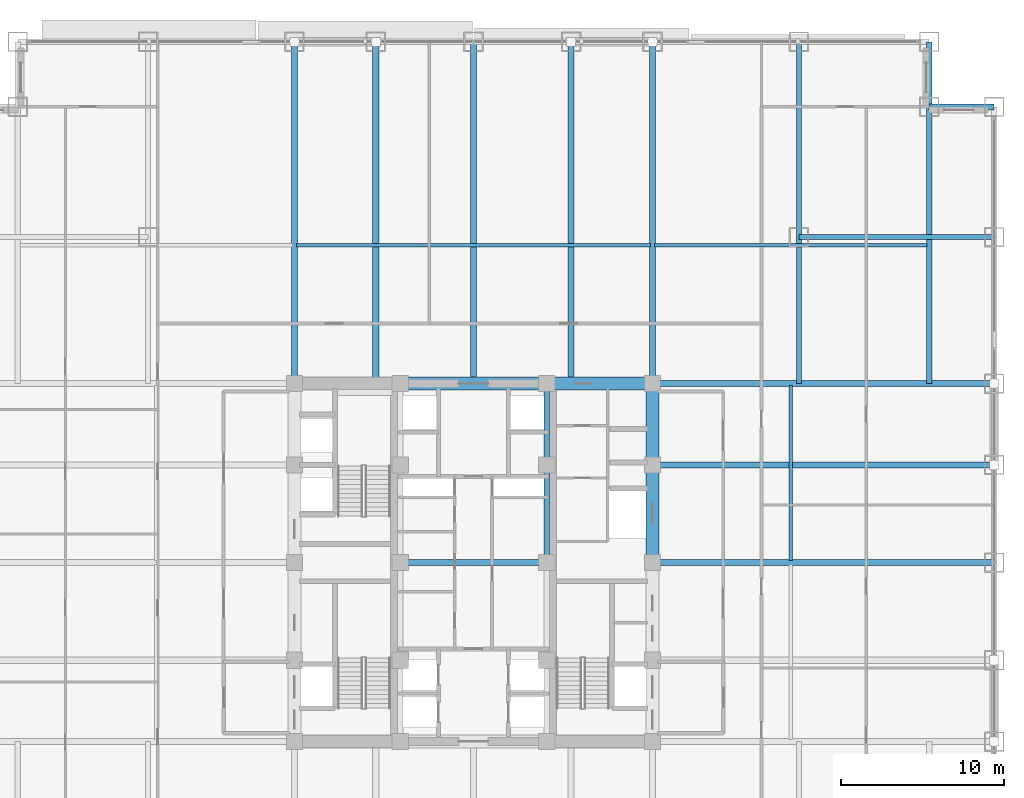
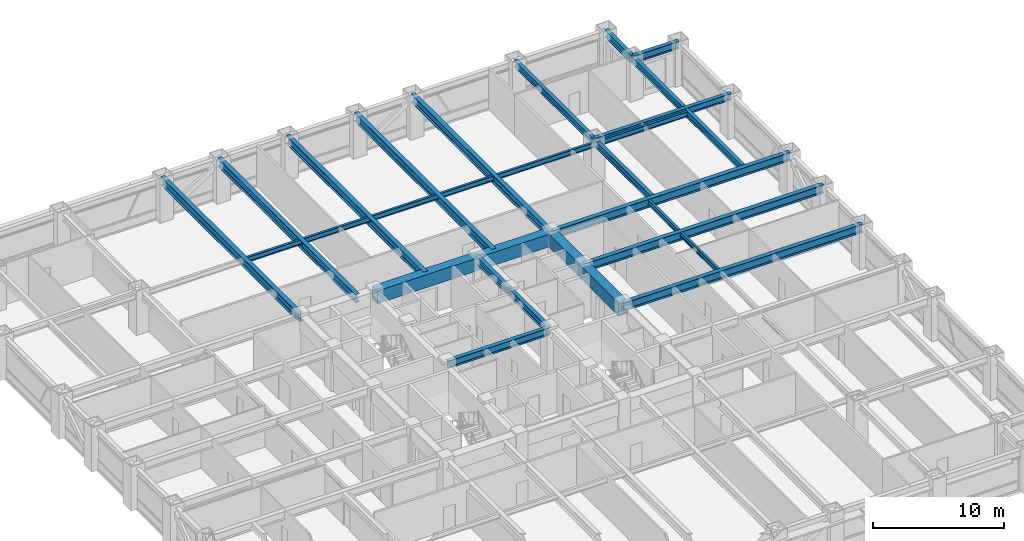
# One storey, part 11 of 32: 23 beams.
"""IFC4 building model written with IfcOpenShell, lengths in metres."""

from ifc_helpers import new_model, si_unit, direction, frame, origin, origin_2d, place, context, subcontext, project, spatial, rectangle, i_section, extrude, source, transform, mapped, material, material_profile, profile_set, type_object, element, save


model = new_model("IFC4")

# Units and contexts
model_context = context("Model", 3, precision=1e-05, world=origin(), true_north=direction((0.0, 1.0)))
body_context = subcontext(model_context, "Body", "Model", "MODEL_VIEW")
ifc_project = project(units=[si_unit("LENGTHUNIT", "METRE"), si_unit("AREAUNIT", "SQUARE_METRE"), si_unit("VOLUMEUNIT", "CUBIC_METRE"), si_unit("PLANEANGLEUNIT", "RADIAN"), si_unit("MASSUNIT", "GRAM", prefix="KILO")], contexts=[model_context])

# Site, building, storey
site_placement = place(None, origin())
site = spatial("IfcSite", under=ifc_project, at=site_placement, CompositionType="ELEMENT")
building_placement = place(site_placement, origin())
building = spatial("IfcBuilding", under=site, at=building_placement, Name="Khorayat Bourse Tower", CompositionType="ELEMENT")
storey_placement = place(building_placement, frame((0.0, 0.0, 136.5)))
storey = spatial("IfcBuildingStorey", under=building, at=storey_placement, Name="L31", CompositionType="ELEMENT", Elevation=136.5)

# Beams
ifc_material_1 = material(Name="Concrete C72/90", Category="concrete")
ifc_material_profile_1 = material_profile(ifc_material_1, rectangle(XDim=0.800048828125, YDim=1.199951171875, at=origin_2d()), Name="RC 800x1200")
ifc_profile_set_1 = profile_set([ifc_material_profile_1], Name="Concrete C72/90")
beam_type_1 = type_object("IfcBeamType", Name="BM-COUP-1200", PredefinedType="BEAM", material=ifc_profile_set_1)
shared_shape_1 = source(origin(), body_context, "Body", "SweptSolid", [
    extrude(rectangle(XDim=0.800048828125, YDim=1.199951171875, at=origin_2d()), origin(), (0.0, 0.0, 1.0), 5.0),
])
beam_1_placement = place(storey_placement, frame((11.0, 6.0, 3.239990234375), z_axis=(0.0, 1.0, 0.0), x_axis=(-1.0, 0.0, 0.0)))
element("IfcBeam", 1, at=beam_1_placement, inside=storey, type_object=beam_type_1, Name="L31 BM-COUP-1200 BM-L31-CRX-16", PredefinedType="BEAM", context=body_context, shape_type="MappedRepresentation", body=[
    mapped(shared_shape_1, transform((0.0, 0.0, 0.0), scale=1.0)),
])
shared_shape_2 = source(origin(), body_context, "Body", "SweptSolid", [
    extrude(rectangle(XDim=0.800048828125, YDim=1.199951171875, at=origin_2d()), origin(), (0.0, 0.0, 1.0), 6.0),
])
beam_2_placement = place(storey_placement, frame((11.0, 0.0, 3.239990234375), z_axis=(0.0, 1.0, 0.0), x_axis=(-1.0, 0.0, 0.0)))
element("IfcBeam", 2, at=beam_2_placement, inside=storey, type_object=beam_type_1, Name="L31 BM-COUP-1200 BM-L31-CRX-15", PredefinedType="BEAM", context=body_context, shape_type="MappedRepresentation", body=[
    mapped(shared_shape_2, transform((0.0, 0.0, 0.0), scale=1.0)),
])
ifc_material_2 = material(Name="Steel ASTM A992 Grade 50", Category="steel")
ifc_material_profile_2 = material_profile(ifc_material_2, i_section(OverallWidth=0.35498046875, OverallDepth=0.695068359375, WebThickness=0.015380859375, FlangeThickness=0.02490234375, FilletRadius=0.01806640625, at=origin_2d()), Name="W690X217")
ifc_profile_set_2 = profile_set([ifc_material_profile_2], Name="Steel ASTM A992 Grade 50")
beam_type_2 = type_object("IfcBeamType", Name="BM-GIRD-690", PredefinedType="BEAM", material=ifc_profile_set_2)
shared_shape_3 = source(origin(), body_context, "Body", "SweptSolid", [
    extrude(i_section(OverallWidth=0.35498046875, OverallDepth=0.695068359375, WebThickness=0.015380859375, FlangeThickness=0.02490234375, FilletRadius=0.01806640625, at=origin_2d()), origin(), (0.0, 0.0, 1.0), 5.0),
])
beam_3_placement = place(storey_placement, frame((4.5, 6.0, 3.492431640625), z_axis=(0.0, 1.0, 0.0), x_axis=(-1.0, 0.0, 0.0)))
element("IfcBeam", 3, at=beam_3_placement, inside=storey, type_object=beam_type_2, Name="L31 BM-GIRD-690 BM-L31-CRX-12", PredefinedType="BEAM", context=body_context, shape_type="MappedRepresentation", body=[
    mapped(shared_shape_3, transform((0.0, 0.0, 0.0), scale=1.0)),
])
shared_shape_4 = source(origin(), body_context, "Body", "SweptSolid", [
    extrude(i_section(OverallWidth=0.35498046875, OverallDepth=0.695068359375, WebThickness=0.015380859375, FlangeThickness=0.02490234375, FilletRadius=0.01806640625, at=origin_2d()), origin(), (0.0, 0.0, 1.0), 6.0),
])
beam_4_placement = place(storey_placement, frame((4.5, 0.0, 3.492431640625), z_axis=(0.0, 1.0, 0.0), x_axis=(-1.0, 0.0, 0.0)))
element("IfcBeam", 4, at=beam_4_placement, inside=storey, type_object=beam_type_2, Name="L31 BM-GIRD-690 BM-L31-CRX-11", PredefinedType="BEAM", context=body_context, shape_type="MappedRepresentation", body=[
    mapped(shared_shape_4, transform((0.0, 0.0, 0.0), scale=1.0)),
])
shared_shape_5 = source(origin(), body_context, "Body", "SweptSolid", [
    extrude(rectangle(XDim=0.800048828125, YDim=1.199951171875, at=origin_2d()), origin(), (0.0, 0.0, 1.0), 6.5),
])
beam_5_placement = place(storey_placement, frame((4.5, 11.0, 3.239990234375), z_axis=(1.0, 0.0, 0.0), x_axis=(0.0, 1.0, 0.0)))
element("IfcBeam", 5, at=beam_5_placement, inside=storey, type_object=beam_type_1, Name="L31 BM-COUP-1200 BM-L31-CRY-22", PredefinedType="BEAM", context=body_context, shape_type="MappedRepresentation", body=[
    mapped(shared_shape_5, transform((0.0, 0.0, 0.0), scale=1.0)),
])
shared_shape_6 = source(origin(), body_context, "Body", "SweptSolid", [
    extrude(rectangle(XDim=0.800048828125, YDim=1.199951171875, at=origin_2d()), origin(), (0.0, 0.0, 1.0), 9.0),
])
beam_6_placement = place(storey_placement, frame((-4.5, 11.0, 3.239990234375), z_axis=(1.0, 0.0, 0.0), x_axis=(0.0, 1.0, 0.0)))
element("IfcBeam", 6, at=beam_6_placement, inside=storey, type_object=beam_type_1, Name="L31 BM-COUP-1200 BM-L31-CRY-21", PredefinedType="BEAM", context=body_context, shape_type="MappedRepresentation", body=[
    mapped(shared_shape_6, transform((0.0, 0.0, 0.0), scale=1.0)),
])
shared_shape_7 = source(origin(), body_context, "Body", "SweptSolid", [
    extrude(i_section(OverallWidth=0.35498046875, OverallDepth=0.695068359375, WebThickness=0.015380859375, FlangeThickness=0.02490234375, FilletRadius=0.01806640625, at=origin_2d()), origin(), (0.0, 0.0, 1.0), 9.0),
])
beam_7_placement = place(storey_placement, frame((-4.5, 0.0, 3.492431640625), z_axis=(1.0, 0.0, 0.0), x_axis=(0.0, 1.0, 0.0)))
element("IfcBeam", 7, at=beam_7_placement, inside=storey, type_object=beam_type_2, Name="L31 BM-GIRD-690 BM-L31-CRY-23", PredefinedType="BEAM", context=body_context, shape_type="MappedRepresentation", body=[
    mapped(shared_shape_7, transform((0.0, 0.0, 0.0), scale=1.0)),
])
ifc_material_profile_3 = material_profile(ifc_material_2, i_section(OverallWidth=0.324951171875, OverallDepth=0.615966796875, WebThickness=0.013916015625, FlangeThickness=0.021484375, FilletRadius=0.01611328125, at=origin_2d()), Name="W610X174")
ifc_profile_set_3 = profile_set([ifc_material_profile_3], Name="Steel ASTM A992 Grade 50")
beam_type_3 = type_object("IfcBeamType", Name="BM-GIRD-610", PredefinedType="BEAM", material=ifc_profile_set_3)
shared_shape_8 = source(origin(), body_context, "Body", "SweptSolid", [
    extrude(i_section(OverallWidth=0.324951171875, OverallDepth=0.615966796875, WebThickness=0.013916015625, FlangeThickness=0.021484375, FilletRadius=0.01611328125, at=origin_2d()), origin(), (0.0, 0.0, 1.0), 21.0),
])
beam_8_placement = place(storey_placement, frame((20.0, 11.0, 3.531982421875), z_axis=(0.0, 1.0, 0.0), x_axis=(-1.0, 0.0, 0.0)))
element("IfcBeam", 8, at=beam_8_placement, inside=storey, type_object=beam_type_3, Name="L31 BM-GIRD-610 BM-L31-CNRY-087", PredefinedType="BEAM", context=body_context, shape_type="MappedRepresentation", body=[
    mapped(shared_shape_8, transform((0.0, 0.0, 0.0), scale=1.0)),
])
shared_shape_9 = source(origin(), body_context, "Body", "SweptSolid", [
    extrude(i_section(OverallWidth=0.324951171875, OverallDepth=0.615966796875, WebThickness=0.013916015625, FlangeThickness=0.021484375, FilletRadius=0.01611328125, at=origin_2d()), origin(), (0.0, 0.0, 1.0), 12.0),
])
beam_9_placement = place(storey_placement, frame((20.0, 20.0, 3.531982421875), z_axis=(1.0, 0.0, 0.0), x_axis=(0.0, 1.0, 0.0)))
element("IfcBeam", 9, at=beam_9_placement, inside=storey, type_object=beam_type_3, Name="L31 BM-GIRD-610 BM-L31-CNRX-094", PredefinedType="BEAM", context=body_context, shape_type="MappedRepresentation", body=[
    mapped(shared_shape_9, transform((0.0, 0.0, 0.0), scale=1.0)),
])
ifc_material_profile_4 = material_profile(ifc_material_2, i_section(OverallWidth=0.194091796875, OverallDepth=0.468994140625, WebThickness=0.0126953125, FlangeThickness=0.0205078125, FilletRadius=0.012939453125, at=origin_2d()), Name="W460X106")
ifc_profile_set_4 = profile_set([ifc_material_profile_4], Name="Steel ASTM A992 Grade 50")
beam_type_4 = type_object("IfcBeamType", Name="BM-JOIST-460", PredefinedType="JOIST", material=ifc_profile_set_4)
shared_shape_10 = source(origin(), body_context, "Body", "SweptSolid", [
    extrude(i_section(OverallWidth=0.194091796875, OverallDepth=0.468994140625, WebThickness=0.0126953125, FlangeThickness=0.0205078125, FilletRadius=0.012939453125, at=origin_2d()), origin(), (0.0, 0.0, 1.0), 21.740234375),
])
beam_10_placement = place(storey_placement, frame((-10.8701171875, 19.5, 3.60546875), z_axis=(1.0, 0.0, 0.0), x_axis=(0.0, 1.0, 0.0)))
element("IfcBeam", 10, at=beam_10_placement, inside=storey, type_object=beam_type_4, Name="L31 BM-JOIST-460 BM-L31-JSTX-100", PredefinedType="JOIST", context=body_context, shape_type="MappedRepresentation", body=[
    mapped(shared_shape_10, transform((0.0, 0.0, 0.0), scale=1.0)),
])
shared_shape_11 = source(origin(), body_context, "Body", "SweptSolid", [
    extrude(i_section(OverallWidth=0.194091796875, OverallDepth=0.468994140625, WebThickness=0.0126953125, FlangeThickness=0.0205078125, FilletRadius=0.012939453125, at=origin_2d()), origin(), (0.0, 0.0, 1.0), 10.740234375),
])
beam_11_placement = place(storey_placement, frame((19.5, 0.1298828125, 3.60546875), z_axis=(0.0, 1.0, 0.0), x_axis=(-1.0, 0.0, 0.0)))
element("IfcBeam", 11, at=beam_11_placement, inside=storey, type_object=beam_type_4, Name="L31 BM-JOIST-460 BM-L31-JSTY-105", PredefinedType="JOIST", context=body_context, shape_type="MappedRepresentation", body=[
    mapped(shared_shape_11, transform((0.0, 0.0, 0.0), scale=1.0)),
])
ifc_material_profile_5 = material_profile(ifc_material_2, i_section(OverallWidth=0.35498046875, OverallDepth=0.695068359375, WebThickness=0.015380859375, FlangeThickness=0.02490234375, FilletRadius=0.01806640625, at=origin_2d()), Name="W690X217")
ifc_profile_set_5 = profile_set([ifc_material_profile_5], Name="Steel ASTM A992 Grade 50")
beam_type_5 = type_object("IfcBeamType", Name="BM-SPAN-690", PredefinedType="SPANDREL", material=ifc_profile_set_5)
shared_shape_12 = source(origin(), body_context, "Body", "SweptSolid", [
    extrude(i_section(OverallWidth=0.35498046875, OverallDepth=0.695068359375, WebThickness=0.015380859375, FlangeThickness=0.02490234375, FilletRadius=0.01806640625, at=origin_2d()), origin(), (0.0, 0.0, 1.0), 4.0),
])
for number, where, z_axis, x_axis, name in (
    (12, (28.0, 28.0, 3.492431640625), (1.0, 0.0, 0.0), (0.0, 1.0, 0.0), "L31 BM-SPAN-690 BM-L31-SPN-042"),
    (13, (28.0, 28.0, 3.492431640625), (0.0, 1.0, 0.0), (-1.0, 0.0, 0.0), "L31 BM-SPAN-690 BM-L31-SPN-043"),
):
    element("IfcBeam", number, at=place(storey_placement, frame(where, z_axis=z_axis, x_axis=x_axis)), inside=storey, type_object=beam_type_5, Name=name, PredefinedType="SPANDREL", context=body_context, shape_type="MappedRepresentation", body=[
        mapped(shared_shape_12, transform((0.0, 0.0, 0.0), scale=1.0)),
    ])
ifc_material_profile_6 = material_profile(ifc_material_2, i_section(OverallWidth=0.381103515625, OverallDepth=0.77294921875, WebThickness=0.0166015625, FlangeThickness=0.027587890625, FilletRadius=0.01806640625, at=origin_2d()), Name="W760X257")
ifc_profile_set_6 = profile_set([ifc_material_profile_6], Name="Steel ASTM A992 Grade 50")
beam_type_6 = type_object("IfcBeamType", Name="BM-GIRD-760", PredefinedType="BEAM", material=ifc_profile_set_6)
shared_shape_13 = source(origin(), body_context, "Body", "SweptSolid", [
    extrude(i_section(OverallWidth=0.381103515625, OverallDepth=0.77294921875, WebThickness=0.0166015625, FlangeThickness=0.027587890625, FilletRadius=0.01806640625, at=origin_2d()), origin(), (0.0, 0.0, 1.0), 21.0),
])
for number, where, z_axis, x_axis, name in (
    (14, (-11.0, 11.0, 3.45361328125), (0.0, 1.0, 0.0), (-1.0, 0.0, 0.0), "L31 BM-GIRD-760 BM-L31-RADY-064"),
    (15, (-6.0, 11.0, 3.45361328125), (0.0, 1.0, 0.0), (-1.0, 0.0, 0.0), "L31 BM-GIRD-760 BM-L31-RADY-066"),
    (16, (0.0, 11.0, 3.45361328125), (0.0, 1.0, 0.0), (-1.0, 0.0, 0.0), "L31 BM-GIRD-760 BM-L31-RADY-068"),
    (17, (6.0, 11.0, 3.45361328125), (0.0, 1.0, 0.0), (-1.0, 0.0, 0.0), "L31 BM-GIRD-760 BM-L31-RADY-070"),
    (18, (11.0, 11.0, 3.45361328125), (0.0, 1.0, 0.0), (-1.0, 0.0, 0.0), "L31 BM-GIRD-760 BM-L31-RADY-072"),
    (19, (11.0, 0.0, 3.45361328125), (1.0, 0.0, 0.0), (0.0, 1.0, 0.0), "L31 BM-GIRD-760 BM-L31-RADX-078"),
    (20, (11.0, 6.0, 3.45361328125), (1.0, 0.0, 0.0), (0.0, 1.0, 0.0), "L31 BM-GIRD-760 BM-L31-RADX-080"),
    (21, (11.0, 11.0, 3.45361328125), (1.0, 0.0, 0.0), (0.0, 1.0, 0.0), "L31 BM-GIRD-760 BM-L31-RADX-082"),
):
    element("IfcBeam", number, at=place(storey_placement, frame(where, z_axis=z_axis, x_axis=x_axis)), inside=storey, type_object=beam_type_6, Name=name, PredefinedType="BEAM", context=body_context, shape_type="MappedRepresentation", body=[
        mapped(shared_shape_13, transform((0.0, 0.0, 0.0), scale=1.0)),
    ])
shared_shape_14 = source(origin(), body_context, "Body", "SweptSolid", [
    extrude(i_section(OverallWidth=0.324951171875, OverallDepth=0.615966796875, WebThickness=0.013916015625, FlangeThickness=0.021484375, FilletRadius=0.01611328125, at=origin_2d()), origin(), (0.0, 0.0, 1.0), 17.0),
])
beam_12_placement = place(storey_placement, frame((28.0, 11.0, 3.531982421875), z_axis=(0.0, 1.0, 0.0), x_axis=(-1.0, 0.0, 0.0)))
element("IfcBeam", 22, at=beam_12_placement, inside=storey, type_object=beam_type_3, Name="L31 BM-GIRD-610 BM-L31-CNRY-091", PredefinedType="BEAM", context=body_context, shape_type="MappedRepresentation", body=[
    mapped(shared_shape_14, transform((0.0, 0.0, 0.0), scale=1.0)),
])
shared_shape_15 = source(origin(), body_context, "Body", "SweptSolid", [
    extrude(i_section(OverallWidth=0.194091796875, OverallDepth=0.468994140625, WebThickness=0.0126953125, FlangeThickness=0.0205078125, FilletRadius=0.012939453125, at=origin_2d()), origin(), (0.0, 0.0, 1.0), 16.740234375),
])
beam_13_placement = place(storey_placement, frame((11.1298828125, 19.5, 3.60546875), z_axis=(1.0, 0.0, 0.0), x_axis=(0.0, 1.0, 0.0)))
element("IfcBeam", 23, at=beam_13_placement, inside=storey, type_object=beam_type_4, Name="L31 BM-JOIST-460 BM-L31-JSTX-101", PredefinedType="JOIST", context=body_context, shape_type="MappedRepresentation", body=[
    mapped(shared_shape_15, transform((0.0, 0.0, 0.0), scale=1.0)),
])

save(model, "model.ifc")
